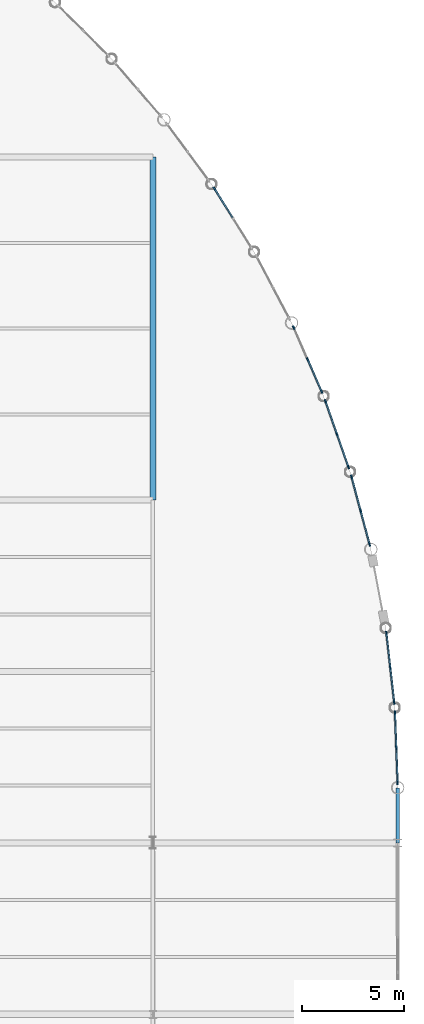
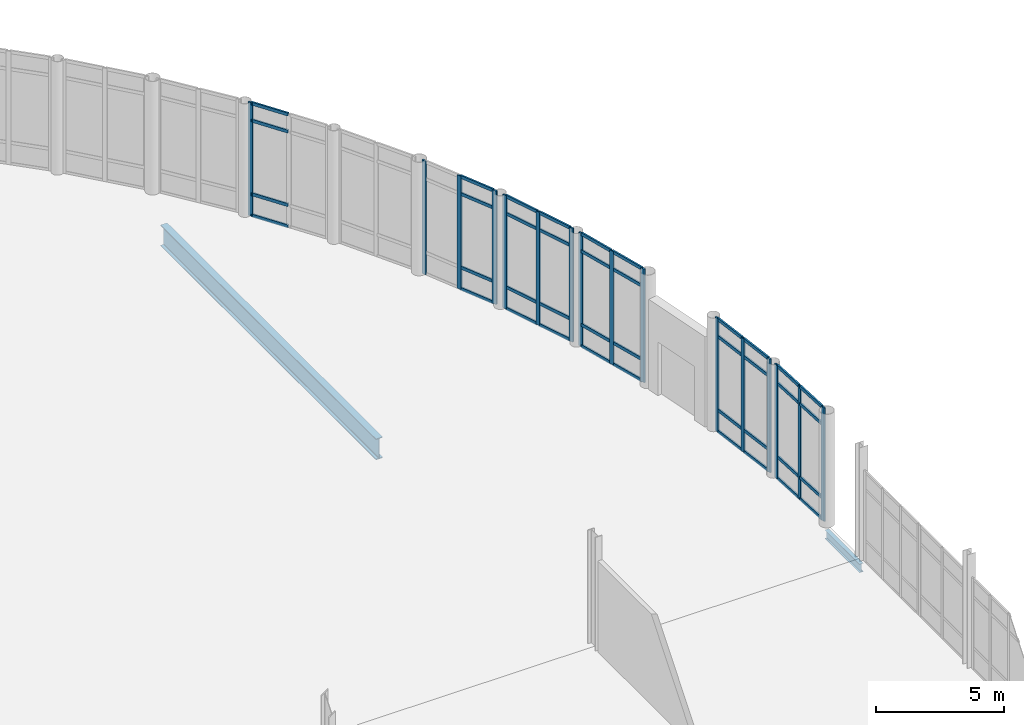
# One storey, part 72 of 111: 56 members, 2 beams, 6 elements without a shape of their own.
"""IFC4 building model written with IfcOpenShell, lengths in metres."""

from ifc_helpers import new_model, si_unit, direction, frame, origin, origin_2d, place, context, subcontext, project, spatial, rectangle, i_section, extrude, material, layer, layer_set, material_profile, profile_set, type_object, element, aggregate, save


model = new_model("IFC4")

# Units and contexts
model_context = context("Model", 3, precision=1e-05, world=origin(), true_north=direction((0.0, 1.0)))
body_context = subcontext(model_context, "Body", "Model", "MODEL_VIEW")
ifc_project = project(units=[si_unit("LENGTHUNIT", "METRE"), si_unit("AREAUNIT", "SQUARE_METRE"), si_unit("VOLUMEUNIT", "CUBIC_METRE"), si_unit("PLANEANGLEUNIT", "RADIAN"), si_unit("MASSUNIT", "GRAM", prefix="KILO"), si_unit("THERMODYNAMICTEMPERATUREUNIT", "KELVIN"), si_unit("POWERUNIT", "WATT")], contexts=[model_context])

# Site, building, storey
site_placement = place(None, origin())
site = spatial("IfcSite", under=ifc_project, at=site_placement, CompositionType="ELEMENT")
building_placement = place(site_placement, origin())
building = spatial("IfcBuilding", under=site, at=building_placement, Name="Tembeka Court Mobility Hub", CompositionType="ELEMENT")
storey_placement = place(building_placement, origin())
storey = spatial("IfcBuildingStorey", under=building, at=storey_placement, Name="L00", CompositionType="ELEMENT", Elevation=0.0)

# Beams
ifc_material_1 = material(Name="Steel S355", Category="steel")
ifc_material_profile_1 = material_profile(ifc_material_1, i_section(OverallWidth=0.177978515625, OverallDepth=0.406005859375, WebThickness=0.0078125, FlangeThickness=0.0126953125, FilletRadius=0.01025390625, at=origin_2d()), Name="UKB 406x178x60")
ifc_profile_set_1 = profile_set([ifc_material_profile_1], Name="Steel S355")
beam_type_1 = type_object("IfcBeamType", Name="BM-B02", PredefinedType="BEAM", material=ifc_profile_set_1)
beam_1_placement = place(storey_placement, frame((176.39990234375, 63.60009765625, -0.48291015625), z_axis=(0.0, 1.0, 0.0), x_axis=(-1.0, 0.0, 0.0)))
element("IfcBeam", 1, at=beam_1_placement, inside=storey, type_object=beam_type_1, Name="Beam B02 (BM-L00-Y0325)", PredefinedType="BEAM", context=body_context, shape_type="SweptSolid", body=[
    extrude(i_section(OverallWidth=0.177978515625, OverallDepth=0.406005859375, WebThickness=0.0078125, FlangeThickness=0.0126953125, FilletRadius=0.01025390625, at=origin_2d()), origin(), (0.0, 0.0, 1.0), 2.699951171875),
])
ifc_material_profile_2 = material_profile(ifc_material_1, i_section(OverallWidth=0.300048828125, OverallDepth=1.0, WebThickness=0.01904296875, FlangeThickness=0.035888671875, FilletRadius=0.030029296875, at=origin_2d()), Name="HEB 1000")
ifc_profile_set_2 = profile_set([ifc_material_profile_2], Name="Steel S355")
beam_type_2 = type_object("IfcBeamType", Name="BM-TG01", PredefinedType="USERDEFINED", material=ifc_profile_set_2)
beam_2_placement = place(storey_placement, frame((164.39990234375, 80.39990234375, -0.780029296875), z_axis=(0.0, 1.0, 0.0), x_axis=(-1.0, 0.0, 0.0)))
element("IfcBeam", 2, at=beam_2_placement, inside=storey, type_object=beam_type_2, Name="Beam TG01 (BM-L00-Y0318)", ObjectType="GIRDER", PredefinedType="USERDEFINED", context=body_context, shape_type="SweptSolid", body=[
    extrude(i_section(OverallWidth=0.300048828125, OverallDepth=1.0, WebThickness=0.01904296875, FlangeThickness=0.035888671875, FilletRadius=0.030029296875, at=origin_2d()), origin(), (0.0, 0.0, 1.0), 16.800048828125),
])

# Curtain wall, members
ifc_material_2 = material(Name="Anodised aluminium 6063-T6", Category="aluminium")
ifc_layer = layer(ifc_material_2, 0.199951171875)
ifc_layer_set = layer_set([ifc_layer], Name="Anodised aluminium 6063-T6")
curtain_wall_type = type_object("IfcCurtainWallType", Name="CW-SYS24", PredefinedType="USERDEFINED", material=ifc_layer_set)
curtain_wall_1_placement = place(storey_placement, origin())
curtain_wall_1 = element("IfcCurtainWall", 3, at=curtain_wall_1_placement, inside=storey, type_object=curtain_wall_type, Name="Unitised curtain wall CW24 (CW-L00-045)", ObjectType="UNITISED GLAZING", PredefinedType="USERDEFINED")
ifc_material_profile_3 = material_profile(ifc_material_2, rectangle(XDim=0.074951171875, YDim=0.199951171875, at=origin_2d()), Name="ALU-MUL 75x200")
ifc_profile_set_3 = profile_set([ifc_material_profile_3], Name="Anodised aluminium 6063-T6")
member_type_1 = type_object("IfcMemberType", Name="CW-MUL02", PredefinedType="MULLION", material=ifc_profile_set_3)
member_1_placement = place(storey_placement, frame((176.390380859375, 66.557373046875, 0.0), z_axis=(0.0, 0.0, 1.0), x_axis=(-0.999300177968, -0.037405271186, 0.0)))
member_1 = element("IfcMember", 4, at=member_1_placement, type_object=member_type_1, Name="CW24 mullion 1", PredefinedType="MULLION", context=body_context, shape_type="SweptSolid", body=[
    extrude(rectangle(XDim=0.074951171875, YDim=0.199951171875, at=origin_2d()), origin(), (0.0, 0.0, 1.0), 5.39990234375),
])
member_2_placement = place(storey_placement, frame((176.32666015625, 68.26171875, 0.0), z_axis=(0.0, 0.0, 1.0), x_axis=(-0.999300177968, -0.037405271186, 0.0)))
member_2 = element("IfcMember", 5, at=member_2_placement, type_object=member_type_1, Name="CW24 mullion 2", PredefinedType="MULLION", context=body_context, shape_type="SweptSolid", body=[
    extrude(rectangle(XDim=0.074951171875, YDim=0.199951171875, at=origin_2d()), origin(), (0.0, 0.0, 1.0), 5.39990234375),
])
member_3_placement = place(storey_placement, frame((176.2626953125, 69.966064453125, 0.0), z_axis=(0.0, 0.0, 1.0), x_axis=(-0.999300177968, -0.037405271186, 0.0)))
member_3 = element("IfcMember", 6, at=member_3_placement, type_object=member_type_1, Name="CW24 mullion 3", PredefinedType="MULLION", context=body_context, shape_type="SweptSolid", body=[
    extrude(rectangle(XDim=0.074951171875, YDim=0.199951171875, at=origin_2d()), origin(), (0.0, 0.0, 1.0), 5.39990234375),
])

curtain_wall_2_placement = place(storey_placement, origin())
curtain_wall_2 = element("IfcCurtainWall", 7, at=curtain_wall_2_placement, inside=storey, type_object=curtain_wall_type, Name="Unitised curtain wall CW24 (CW-L00-047)", ObjectType="UNITISED GLAZING", PredefinedType="USERDEFINED")
member_4_placement = place(storey_placement, frame((176.224365234375, 70.479248046875, 0.0), z_axis=(0.0, 0.0, 1.0), x_axis=(-0.993709707443, -0.111986683735, 0.0)))
member_4 = element("IfcMember", 8, at=member_4_placement, type_object=member_type_1, Name="CW24 mullion 1", PredefinedType="MULLION", context=body_context, shape_type="SweptSolid", body=[
    extrude(rectangle(XDim=0.074951171875, YDim=0.199951171875, at=origin_2d()), origin(), (0.0, 0.0, 1.0), 5.39990234375),
])
member_5_placement = place(storey_placement, frame((176.033447265625, 72.174072265625, 0.0), z_axis=(0.0, 0.0, 1.0), x_axis=(-0.993709707443, -0.111986683735, 0.0)))
member_5 = element("IfcMember", 9, at=member_5_placement, type_object=member_type_1, Name="CW24 mullion 2", PredefinedType="MULLION", context=body_context, shape_type="SweptSolid", body=[
    extrude(rectangle(XDim=0.074951171875, YDim=0.199951171875, at=origin_2d()), origin(), (0.0, 0.0, 1.0), 5.39990234375),
])
member_6_placement = place(storey_placement, frame((175.84228515625, 73.868896484375, 0.0), z_axis=(0.0, 0.0, 1.0), x_axis=(-0.993709707443, -0.111986683735, 0.0)))
member_6 = element("IfcMember", 10, at=member_6_placement, type_object=member_type_1, Name="CW24 mullion 3", PredefinedType="MULLION", context=body_context, shape_type="SweptSolid", body=[
    extrude(rectangle(XDim=0.074951171875, YDim=0.199951171875, at=origin_2d()), origin(), (0.0, 0.0, 1.0), 5.39990234375),
])

curtain_wall_3_placement = place(storey_placement, origin())
curtain_wall_3 = element("IfcCurtainWall", 11, at=curtain_wall_3_placement, inside=storey, type_object=curtain_wall_type, Name="Unitised curtain wall CW24 (CW-L00-049)", ObjectType="UNITISED GLAZING", PredefinedType="USERDEFINED")
member_7_placement = place(storey_placement, frame((175.01708984375, 78.23095703125, 0.0), z_axis=(0.0, 0.0, 1.0), x_axis=(-0.96592333891, -0.258828327951, 0.0)))
member_7 = element("IfcMember", 12, at=member_7_placement, type_object=member_type_1, Name="CW24 mullion 1", PredefinedType="MULLION", context=body_context, shape_type="SweptSolid", body=[
    extrude(rectangle(XDim=0.074951171875, YDim=0.199951171875, at=origin_2d()), origin(), (0.0, 0.0, 1.0), 5.39990234375),
])
member_8_placement = place(storey_placement, frame((174.57568359375, 79.87841796875, 0.0), z_axis=(0.0, 0.0, 1.0), x_axis=(-0.96592333891, -0.258828327951, 0.0)))
member_8 = element("IfcMember", 13, at=member_8_placement, type_object=member_type_1, Name="CW24 mullion 2", PredefinedType="MULLION", context=body_context, shape_type="SweptSolid", body=[
    extrude(rectangle(XDim=0.074951171875, YDim=0.199951171875, at=origin_2d()), origin(), (0.0, 0.0, 1.0), 5.39990234375),
])
member_9_placement = place(storey_placement, frame((174.13427734375, 81.52587890625, 0.0), z_axis=(0.0, 0.0, 1.0), x_axis=(-0.96592333891, -0.258828327951, 0.0)))
member_9 = element("IfcMember", 14, at=member_9_placement, type_object=member_type_1, Name="CW24 mullion 3", PredefinedType="MULLION", context=body_context, shape_type="SweptSolid", body=[
    extrude(rectangle(XDim=0.074951171875, YDim=0.199951171875, at=origin_2d()), origin(), (0.0, 0.0, 1.0), 5.39990234375),
])

curtain_wall_4_placement = place(storey_placement, origin())
curtain_wall_4 = element("IfcCurtainWall", 15, at=curtain_wall_4_placement, inside=storey, type_object=curtain_wall_type, Name="Unitised curtain wall CW24 (CW-L00-051)", ObjectType="UNITISED GLAZING", PredefinedType="USERDEFINED")
member_10_placement = place(storey_placement, frame((173.982421875, 82.017578125, 0.0), z_axis=(0.0, 0.0, 1.0), x_axis=(-0.943888763508, -0.330263534352, 0.0)))
member_10 = element("IfcMember", 16, at=member_10_placement, type_object=member_type_1, Name="CW24 mullion 1", PredefinedType="MULLION", context=body_context, shape_type="SweptSolid", body=[
    extrude(rectangle(XDim=0.074951171875, YDim=0.199951171875, at=origin_2d()), origin(), (0.0, 0.0, 1.0), 5.39990234375),
])
member_11_placement = place(storey_placement, frame((173.419189453125, 83.62744140625, 0.0), z_axis=(0.0, 0.0, 1.0), x_axis=(-0.943888763508, -0.330263534352, 0.0)))
member_11 = element("IfcMember", 17, at=member_11_placement, type_object=member_type_1, Name="CW24 mullion 2", PredefinedType="MULLION", context=body_context, shape_type="SweptSolid", body=[
    extrude(rectangle(XDim=0.074951171875, YDim=0.199951171875, at=origin_2d()), origin(), (0.0, 0.0, 1.0), 5.39990234375),
])
member_12_placement = place(storey_placement, frame((172.85595703125, 85.2373046875, 0.0), z_axis=(0.0, 0.0, 1.0), x_axis=(-0.943888763508, -0.330263534352, 0.0)))
member_12 = element("IfcMember", 18, at=member_12_placement, type_object=member_type_1, Name="CW24 mullion 3", PredefinedType="MULLION", context=body_context, shape_type="SweptSolid", body=[
    extrude(rectangle(XDim=0.074951171875, YDim=0.199951171875, at=origin_2d()), origin(), (0.0, 0.0, 1.0), 5.39990234375),
])

curtain_wall_5_placement = place(storey_placement, origin())
curtain_wall_5 = element("IfcCurtainWall", 19, at=curtain_wall_5_placement, inside=storey, type_object=curtain_wall_type, Name="Unitised curtain wall CW24 (CW-L00-053)", ObjectType="UNITISED GLAZING", PredefinedType="USERDEFINED")
member_13_placement = place(storey_placement, frame((172.66796875, 85.71630859375, 0.0), z_axis=(0.0, 0.0, 1.0), x_axis=(-0.916572258286, -0.399869097757, 0.0)))
member_13 = element("IfcMember", 20, at=member_13_placement, type_object=member_type_1, Name="CW24 mullion 1", PredefinedType="MULLION", context=body_context, shape_type="SweptSolid", body=[
    extrude(rectangle(XDim=0.074951171875, YDim=0.199951171875, at=origin_2d()), origin(), (0.0, 0.0, 1.0), 5.39990234375),
])
member_14_placement = place(storey_placement, frame((171.98583984375, 87.279541015625, 0.0), z_axis=(0.0, 0.0, 1.0), x_axis=(-0.916572258286, -0.399869097757, 0.0)))
member_14 = element("IfcMember", 21, at=member_14_placement, type_object=member_type_1, Name="CW24 mullion 2", PredefinedType="MULLION", context=body_context, shape_type="SweptSolid", body=[
    extrude(rectangle(XDim=0.074951171875, YDim=0.199951171875, at=origin_2d()), origin(), (0.0, 0.0, 1.0), 5.39990234375),
])
member_15_placement = place(storey_placement, frame((171.303955078125, 88.843017578125, 0.0), z_axis=(0.0, 0.0, 1.0), x_axis=(-0.916572258286, -0.399869097757, 0.0)))
member_15 = element("IfcMember", 22, at=member_15_placement, type_object=member_type_1, Name="CW24 mullion 3", PredefinedType="MULLION", context=body_context, shape_type="SweptSolid", body=[
    extrude(rectangle(XDim=0.074951171875, YDim=0.199951171875, at=origin_2d()), origin(), (0.0, 0.0, 1.0), 5.39990234375),
])

# Curtain wall, member
curtain_wall_6_placement = place(storey_placement, origin())
curtain_wall_6 = element("IfcCurtainWall", 23, at=curtain_wall_6_placement, inside=storey, type_object=curtain_wall_type, Name="Unitised curtain wall CW24 (CW-L00-057)", ObjectType="UNITISED GLAZING", PredefinedType="USERDEFINED")
member_16_placement = place(storey_placement, frame((167.41455078125, 95.65625, 0.0), z_axis=(0.0, 0.0, 1.0), x_axis=(-0.846708179607, -0.532057570744, 0.0)))
member_16 = element("IfcMember", 24, at=member_16_placement, type_object=member_type_1, Name="CW24 mullion 3", PredefinedType="MULLION", context=body_context, shape_type="SweptSolid", body=[
    extrude(rectangle(XDim=0.074951171875, YDim=0.199951171875, at=origin_2d()), origin(), (0.0, 0.0, 1.0), 5.39990234375),
])

# Member
ifc_material_profile_4 = material_profile(ifc_material_2, rectangle(XDim=0.074951171875, YDim=0.14990234375, at=origin_2d()), Name="ALU-TRN 75x150")
ifc_profile_set_4 = profile_set([ifc_material_profile_4], Name="Anodised aluminium 6063-T6")
member_type_2 = type_object("IfcMemberType", Name="CW-TRN02", PredefinedType="USERDEFINED", material=ifc_profile_set_4)
member_17_placement = place(storey_placement, frame((176.388916015625, 66.5947265625, 0.03759765625), z_axis=(-0.037432542583, 0.999299156787, 0.0), x_axis=(-0.999299156787, -0.037432542583, 0.0)))
member_17 = element("IfcMember", 25, at=member_17_placement, type_object=member_type_2, Name="CW24 transom 1.1", ObjectType="TRANSOM", PredefinedType="USERDEFINED", context=body_context, shape_type="SweptSolid", body=[
    extrude(rectangle(XDim=0.074951171875, YDim=0.14990234375, at=origin_2d()), origin(), (0.0, 0.0, 1.0), 1.630615234375),
])

member_18_placement = place(storey_placement, frame((176.388916015625, 66.5947265625, 1.050048828125), z_axis=(-0.037432542583, 0.999299156787, 0.0), x_axis=(-0.999299156787, -0.037432542583, 0.0)))
member_18 = element("IfcMember", 26, at=member_18_placement, type_object=member_type_2, Name="CW24 transom 1.2", ObjectType="TRANSOM", PredefinedType="USERDEFINED", context=body_context, shape_type="SweptSolid", body=[
    extrude(rectangle(XDim=0.074951171875, YDim=0.14990234375, at=origin_2d()), origin(), (0.0, 0.0, 1.0), 1.630615234375),
])

member_19_placement = place(storey_placement, frame((176.388916015625, 66.5947265625, 4.550048828125), z_axis=(-0.037432542583, 0.999299156787, 0.0), x_axis=(-0.999299156787, -0.037432542583, 0.0)))
member_19 = element("IfcMember", 27, at=member_19_placement, type_object=member_type_2, Name="CW24 transom 1.3", ObjectType="TRANSOM", PredefinedType="USERDEFINED", context=body_context, shape_type="SweptSolid", body=[
    extrude(rectangle(XDim=0.074951171875, YDim=0.14990234375, at=origin_2d()), origin(), (0.0, 0.0, 1.0), 1.630615234375),
])

member_20_placement = place(storey_placement, frame((176.388916015625, 66.5947265625, 5.362548828125), z_axis=(-0.037432542583, 0.999299156787, 0.0), x_axis=(-0.999299156787, -0.037432542583, 0.0)))
member_20 = element("IfcMember", 28, at=member_20_placement, type_object=member_type_2, Name="CW24 transom 1.4", ObjectType="TRANSOM", PredefinedType="USERDEFINED", context=body_context, shape_type="SweptSolid", body=[
    extrude(rectangle(XDim=0.074951171875, YDim=0.14990234375, at=origin_2d()), origin(), (0.0, 0.0, 1.0), 1.630615234375),
])

member_21_placement = place(storey_placement, frame((176.3251953125, 68.299072265625, 0.03759765625), z_axis=(-0.037432542583, 0.999299156787, 0.0), x_axis=(-0.999299156787, -0.037432542583, 0.0)))
member_21 = element("IfcMember", 29, at=member_21_placement, type_object=member_type_2, Name="CW24 transom 2.1", ObjectType="TRANSOM", PredefinedType="USERDEFINED", context=body_context, shape_type="SweptSolid", body=[
    extrude(rectangle(XDim=0.074951171875, YDim=0.14990234375, at=origin_2d()), origin(), (0.0, 0.0, 1.0), 1.630615234375),
])

member_22_placement = place(storey_placement, frame((176.3251953125, 68.299072265625, 1.050048828125), z_axis=(-0.037432542583, 0.999299156787, 0.0), x_axis=(-0.999299156787, -0.037432542583, 0.0)))
member_22 = element("IfcMember", 30, at=member_22_placement, type_object=member_type_2, Name="CW24 transom 2.2", ObjectType="TRANSOM", PredefinedType="USERDEFINED", context=body_context, shape_type="SweptSolid", body=[
    extrude(rectangle(XDim=0.074951171875, YDim=0.14990234375, at=origin_2d()), origin(), (0.0, 0.0, 1.0), 1.630615234375),
])

member_23_placement = place(storey_placement, frame((176.3251953125, 68.299072265625, 4.550048828125), z_axis=(-0.037432542583, 0.999299156787, 0.0), x_axis=(-0.999299156787, -0.037432542583, 0.0)))
member_23 = element("IfcMember", 31, at=member_23_placement, type_object=member_type_2, Name="CW24 transom 2.3", ObjectType="TRANSOM", PredefinedType="USERDEFINED", context=body_context, shape_type="SweptSolid", body=[
    extrude(rectangle(XDim=0.074951171875, YDim=0.14990234375, at=origin_2d()), origin(), (0.0, 0.0, 1.0), 1.630615234375),
])

member_24_placement = place(storey_placement, frame((176.3251953125, 68.299072265625, 5.362548828125), z_axis=(-0.037432542583, 0.999299156787, 0.0), x_axis=(-0.999299156787, -0.037432542583, 0.0)))
member_24 = element("IfcMember", 32, at=member_24_placement, type_object=member_type_2, Name="CW24 transom 2.4", ObjectType="TRANSOM", PredefinedType="USERDEFINED", context=body_context, shape_type="SweptSolid", body=[
    extrude(rectangle(XDim=0.074951171875, YDim=0.14990234375, at=origin_2d()), origin(), (0.0, 0.0, 1.0), 1.630615234375),
])

aggregate(curtain_wall_1, [member_1, member_2, member_3, member_17, member_18, member_19, member_20, member_21, member_22, member_23, member_24])

member_25_placement = place(storey_placement, frame((176.22021484375, 70.516357421875, 0.03759765625), z_axis=(-0.111992522074, 0.99370904947, 0.0), x_axis=(-0.99370904947, -0.111992522074, 0.0)))
member_25 = element("IfcMember", 33, at=member_25_placement, type_object=member_type_2, Name="CW24 transom 1.1", ObjectType="TRANSOM", PredefinedType="USERDEFINED", context=body_context, shape_type="SweptSolid", body=[
    extrude(rectangle(XDim=0.074951171875, YDim=0.14990234375, at=origin_2d()), origin(), (0.0, 0.0, 1.0), 1.630615234375),
])

member_26_placement = place(storey_placement, frame((176.22021484375, 70.516357421875, 1.050048828125), z_axis=(-0.111992522074, 0.99370904947, 0.0), x_axis=(-0.99370904947, -0.111992522074, 0.0)))
member_26 = element("IfcMember", 34, at=member_26_placement, type_object=member_type_2, Name="CW24 transom 1.2", ObjectType="TRANSOM", PredefinedType="USERDEFINED", context=body_context, shape_type="SweptSolid", body=[
    extrude(rectangle(XDim=0.074951171875, YDim=0.14990234375, at=origin_2d()), origin(), (0.0, 0.0, 1.0), 1.630615234375),
])

member_27_placement = place(storey_placement, frame((176.22021484375, 70.516357421875, 4.550048828125), z_axis=(-0.111992522074, 0.99370904947, 0.0), x_axis=(-0.99370904947, -0.111992522074, 0.0)))
member_27 = element("IfcMember", 35, at=member_27_placement, type_object=member_type_2, Name="CW24 transom 1.3", ObjectType="TRANSOM", PredefinedType="USERDEFINED", context=body_context, shape_type="SweptSolid", body=[
    extrude(rectangle(XDim=0.074951171875, YDim=0.14990234375, at=origin_2d()), origin(), (0.0, 0.0, 1.0), 1.630615234375),
])

member_28_placement = place(storey_placement, frame((176.22021484375, 70.516357421875, 5.362548828125), z_axis=(-0.111992522074, 0.99370904947, 0.0), x_axis=(-0.99370904947, -0.111992522074, 0.0)))
member_28 = element("IfcMember", 36, at=member_28_placement, type_object=member_type_2, Name="CW24 transom 1.4", ObjectType="TRANSOM", PredefinedType="USERDEFINED", context=body_context, shape_type="SweptSolid", body=[
    extrude(rectangle(XDim=0.074951171875, YDim=0.14990234375, at=origin_2d()), origin(), (0.0, 0.0, 1.0), 1.630615234375),
])

member_29_placement = place(storey_placement, frame((176.029296875, 72.211181640625, 0.03759765625), z_axis=(-0.111992522074, 0.99370904947, 0.0), x_axis=(-0.99370904947, -0.111992522074, 0.0)))
member_29 = element("IfcMember", 37, at=member_29_placement, type_object=member_type_2, Name="CW24 transom 2.1", ObjectType="TRANSOM", PredefinedType="USERDEFINED", context=body_context, shape_type="SweptSolid", body=[
    extrude(rectangle(XDim=0.074951171875, YDim=0.14990234375, at=origin_2d()), origin(), (0.0, 0.0, 1.0), 1.630615234375),
])

member_30_placement = place(storey_placement, frame((176.029296875, 72.211181640625, 1.050048828125), z_axis=(-0.111992522074, 0.99370904947, 0.0), x_axis=(-0.99370904947, -0.111992522074, 0.0)))
member_30 = element("IfcMember", 38, at=member_30_placement, type_object=member_type_2, Name="CW24 transom 2.2", ObjectType="TRANSOM", PredefinedType="USERDEFINED", context=body_context, shape_type="SweptSolid", body=[
    extrude(rectangle(XDim=0.074951171875, YDim=0.14990234375, at=origin_2d()), origin(), (0.0, 0.0, 1.0), 1.630615234375),
])

member_31_placement = place(storey_placement, frame((176.029296875, 72.211181640625, 4.550048828125), z_axis=(-0.111992522074, 0.99370904947, 0.0), x_axis=(-0.99370904947, -0.111992522074, 0.0)))
member_31 = element("IfcMember", 39, at=member_31_placement, type_object=member_type_2, Name="CW24 transom 2.3", ObjectType="TRANSOM", PredefinedType="USERDEFINED", context=body_context, shape_type="SweptSolid", body=[
    extrude(rectangle(XDim=0.074951171875, YDim=0.14990234375, at=origin_2d()), origin(), (0.0, 0.0, 1.0), 1.630615234375),
])

member_32_placement = place(storey_placement, frame((176.029296875, 72.211181640625, 5.362548828125), z_axis=(-0.111992522074, 0.99370904947, 0.0), x_axis=(-0.99370904947, -0.111992522074, 0.0)))
member_32 = element("IfcMember", 40, at=member_32_placement, type_object=member_type_2, Name="CW24 transom 2.4", ObjectType="TRANSOM", PredefinedType="USERDEFINED", context=body_context, shape_type="SweptSolid", body=[
    extrude(rectangle(XDim=0.074951171875, YDim=0.14990234375, at=origin_2d()), origin(), (0.0, 0.0, 1.0), 1.630615234375),
])

aggregate(curtain_wall_2, [member_4, member_5, member_6, member_25, member_26, member_27, member_28, member_29, member_30, member_31, member_32])

member_33_placement = place(storey_placement, frame((175.00732421875, 78.267333984375, 0.03759765625), z_axis=(-0.258743569782, 0.96594604668, 0.0), x_axis=(-0.96594604668, -0.258743569782, 0.0)))
member_33 = element("IfcMember", 41, at=member_33_placement, type_object=member_type_2, Name="CW24 transom 1.1", ObjectType="TRANSOM", PredefinedType="USERDEFINED", context=body_context, shape_type="SweptSolid", body=[
    extrude(rectangle(XDim=0.074951171875, YDim=0.14990234375, at=origin_2d()), origin(), (0.0, 0.0, 1.0), 1.63037109375),
])

member_34_placement = place(storey_placement, frame((175.00732421875, 78.267333984375, 1.050048828125), z_axis=(-0.258743569782, 0.96594604668, 0.0), x_axis=(-0.96594604668, -0.258743569782, 0.0)))
member_34 = element("IfcMember", 42, at=member_34_placement, type_object=member_type_2, Name="CW24 transom 1.2", ObjectType="TRANSOM", PredefinedType="USERDEFINED", context=body_context, shape_type="SweptSolid", body=[
    extrude(rectangle(XDim=0.074951171875, YDim=0.14990234375, at=origin_2d()), origin(), (0.0, 0.0, 1.0), 1.63037109375),
])

member_35_placement = place(storey_placement, frame((175.00732421875, 78.267333984375, 4.550048828125), z_axis=(-0.258743569782, 0.96594604668, 0.0), x_axis=(-0.96594604668, -0.258743569782, 0.0)))
member_35 = element("IfcMember", 43, at=member_35_placement, type_object=member_type_2, Name="CW24 transom 1.3", ObjectType="TRANSOM", PredefinedType="USERDEFINED", context=body_context, shape_type="SweptSolid", body=[
    extrude(rectangle(XDim=0.074951171875, YDim=0.14990234375, at=origin_2d()), origin(), (0.0, 0.0, 1.0), 1.63037109375),
])

member_36_placement = place(storey_placement, frame((175.00732421875, 78.267333984375, 5.362548828125), z_axis=(-0.258743569782, 0.96594604668, 0.0), x_axis=(-0.96594604668, -0.258743569782, 0.0)))
member_36 = element("IfcMember", 44, at=member_36_placement, type_object=member_type_2, Name="CW24 transom 1.4", ObjectType="TRANSOM", PredefinedType="USERDEFINED", context=body_context, shape_type="SweptSolid", body=[
    extrude(rectangle(XDim=0.074951171875, YDim=0.14990234375, at=origin_2d()), origin(), (0.0, 0.0, 1.0), 1.63037109375),
])

member_37_placement = place(storey_placement, frame((174.56591796875, 79.91455078125, 0.03759765625), z_axis=(-0.258845837055, 0.965918647009, 0.0), x_axis=(-0.965918647009, -0.258845837055, 0.0)))
member_37 = element("IfcMember", 45, at=member_37_placement, type_object=member_type_2, Name="CW24 transom 2.1", ObjectType="TRANSOM", PredefinedType="USERDEFINED", context=body_context, shape_type="SweptSolid", body=[
    extrude(rectangle(XDim=0.074951171875, YDim=0.14990234375, at=origin_2d()), origin(), (0.0, 0.0, 1.0), 1.630859375),
])

member_38_placement = place(storey_placement, frame((174.56591796875, 79.91455078125, 1.050048828125), z_axis=(-0.258845837055, 0.965918647009, 0.0), x_axis=(-0.965918647009, -0.258845837055, 0.0)))
member_38 = element("IfcMember", 46, at=member_38_placement, type_object=member_type_2, Name="CW24 transom 2.2", ObjectType="TRANSOM", PredefinedType="USERDEFINED", context=body_context, shape_type="SweptSolid", body=[
    extrude(rectangle(XDim=0.074951171875, YDim=0.14990234375, at=origin_2d()), origin(), (0.0, 0.0, 1.0), 1.630859375),
])

member_39_placement = place(storey_placement, frame((174.56591796875, 79.91455078125, 4.550048828125), z_axis=(-0.258845837055, 0.965918647009, 0.0), x_axis=(-0.965918647009, -0.258845837055, 0.0)))
member_39 = element("IfcMember", 47, at=member_39_placement, type_object=member_type_2, Name="CW24 transom 2.3", ObjectType="TRANSOM", PredefinedType="USERDEFINED", context=body_context, shape_type="SweptSolid", body=[
    extrude(rectangle(XDim=0.074951171875, YDim=0.14990234375, at=origin_2d()), origin(), (0.0, 0.0, 1.0), 1.630859375),
])

member_40_placement = place(storey_placement, frame((174.56591796875, 79.91455078125, 5.362548828125), z_axis=(-0.258845837055, 0.965918647009, 0.0), x_axis=(-0.965918647009, -0.258845837055, 0.0)))
member_40 = element("IfcMember", 48, at=member_40_placement, type_object=member_type_2, Name="CW24 transom 2.4", ObjectType="TRANSOM", PredefinedType="USERDEFINED", context=body_context, shape_type="SweptSolid", body=[
    extrude(rectangle(XDim=0.074951171875, YDim=0.14990234375, at=origin_2d()), origin(), (0.0, 0.0, 1.0), 1.630859375),
])

aggregate(curtain_wall_3, [member_7, member_8, member_9, member_33, member_34, member_35, member_36, member_37, member_38, member_39, member_40])

member_41_placement = place(storey_placement, frame((173.97021484375, 82.052978515625, 0.03759765625), z_axis=(-0.330297069479, 0.94387702901, 0.0), x_axis=(-0.94387702901, -0.330297069479, 0.0)))
member_41 = element("IfcMember", 49, at=member_41_placement, type_object=member_type_2, Name="CW24 transom 1.1", ObjectType="TRANSOM", PredefinedType="USERDEFINED", context=body_context, shape_type="SweptSolid", body=[
    extrude(rectangle(XDim=0.074951171875, YDim=0.14990234375, at=origin_2d()), origin(), (0.0, 0.0, 1.0), 1.630615234375),
])

member_42_placement = place(storey_placement, frame((173.97021484375, 82.052978515625, 1.050048828125), z_axis=(-0.330297069479, 0.94387702901, 0.0), x_axis=(-0.94387702901, -0.330297069479, 0.0)))
member_42 = element("IfcMember", 50, at=member_42_placement, type_object=member_type_2, Name="CW24 transom 1.2", ObjectType="TRANSOM", PredefinedType="USERDEFINED", context=body_context, shape_type="SweptSolid", body=[
    extrude(rectangle(XDim=0.074951171875, YDim=0.14990234375, at=origin_2d()), origin(), (0.0, 0.0, 1.0), 1.630615234375),
])

member_43_placement = place(storey_placement, frame((173.97021484375, 82.052978515625, 4.550048828125), z_axis=(-0.330297069479, 0.94387702901, 0.0), x_axis=(-0.94387702901, -0.330297069479, 0.0)))
member_43 = element("IfcMember", 51, at=member_43_placement, type_object=member_type_2, Name="CW24 transom 1.3", ObjectType="TRANSOM", PredefinedType="USERDEFINED", context=body_context, shape_type="SweptSolid", body=[
    extrude(rectangle(XDim=0.074951171875, YDim=0.14990234375, at=origin_2d()), origin(), (0.0, 0.0, 1.0), 1.630615234375),
])

member_44_placement = place(storey_placement, frame((173.97021484375, 82.052978515625, 5.362548828125), z_axis=(-0.330297069479, 0.94387702901, 0.0), x_axis=(-0.94387702901, -0.330297069479, 0.0)))
member_44 = element("IfcMember", 52, at=member_44_placement, type_object=member_type_2, Name="CW24 transom 1.4", ObjectType="TRANSOM", PredefinedType="USERDEFINED", context=body_context, shape_type="SweptSolid", body=[
    extrude(rectangle(XDim=0.074951171875, YDim=0.14990234375, at=origin_2d()), origin(), (0.0, 0.0, 1.0), 1.630615234375),
])

member_45_placement = place(storey_placement, frame((173.406982421875, 83.662841796875, 0.03759765625), z_axis=(-0.330297069479, 0.94387702901, 0.0), x_axis=(-0.94387702901, -0.330297069479, 0.0)))
member_45 = element("IfcMember", 53, at=member_45_placement, type_object=member_type_2, Name="CW24 transom 2.1", ObjectType="TRANSOM", PredefinedType="USERDEFINED", context=body_context, shape_type="SweptSolid", body=[
    extrude(rectangle(XDim=0.074951171875, YDim=0.14990234375, at=origin_2d()), origin(), (0.0, 0.0, 1.0), 1.630615234375),
])

member_46_placement = place(storey_placement, frame((173.406982421875, 83.662841796875, 1.050048828125), z_axis=(-0.330297069479, 0.94387702901, 0.0), x_axis=(-0.94387702901, -0.330297069479, 0.0)))
member_46 = element("IfcMember", 54, at=member_46_placement, type_object=member_type_2, Name="CW24 transom 2.2", ObjectType="TRANSOM", PredefinedType="USERDEFINED", context=body_context, shape_type="SweptSolid", body=[
    extrude(rectangle(XDim=0.074951171875, YDim=0.14990234375, at=origin_2d()), origin(), (0.0, 0.0, 1.0), 1.630615234375),
])

member_47_placement = place(storey_placement, frame((173.406982421875, 83.662841796875, 4.550048828125), z_axis=(-0.330297069479, 0.94387702901, 0.0), x_axis=(-0.94387702901, -0.330297069479, 0.0)))
member_47 = element("IfcMember", 55, at=member_47_placement, type_object=member_type_2, Name="CW24 transom 2.3", ObjectType="TRANSOM", PredefinedType="USERDEFINED", context=body_context, shape_type="SweptSolid", body=[
    extrude(rectangle(XDim=0.074951171875, YDim=0.14990234375, at=origin_2d()), origin(), (0.0, 0.0, 1.0), 1.630615234375),
])

member_48_placement = place(storey_placement, frame((173.406982421875, 83.662841796875, 5.362548828125), z_axis=(-0.330297069479, 0.94387702901, 0.0), x_axis=(-0.94387702901, -0.330297069479, 0.0)))
member_48 = element("IfcMember", 56, at=member_48_placement, type_object=member_type_2, Name="CW24 transom 2.4", ObjectType="TRANSOM", PredefinedType="USERDEFINED", context=body_context, shape_type="SweptSolid", body=[
    extrude(rectangle(XDim=0.074951171875, YDim=0.14990234375, at=origin_2d()), origin(), (0.0, 0.0, 1.0), 1.630615234375),
])

aggregate(curtain_wall_4, [member_10, member_11, member_12, member_41, member_42, member_43, member_44, member_45, member_46, member_47, member_48])

member_49_placement = place(storey_placement, frame((172.65283203125, 85.750732421875, 0.03759765625), z_axis=(-0.399766075553, 0.916617196455, 0.0), x_axis=(-0.916617196455, -0.399766075553, 0.0)))
member_49 = element("IfcMember", 57, at=member_49_placement, type_object=member_type_2, Name="CW24 transom 1.1", ObjectType="TRANSOM", PredefinedType="USERDEFINED", context=body_context, shape_type="SweptSolid", body=[
    extrude(rectangle(XDim=0.074951171875, YDim=0.14990234375, at=origin_2d()), origin(), (0.0, 0.0, 1.0), 1.630615234375),
])

member_50_placement = place(storey_placement, frame((172.65283203125, 85.750732421875, 1.050048828125), z_axis=(-0.399766075553, 0.916617196455, 0.0), x_axis=(-0.916617196455, -0.399766075553, 0.0)))
member_50 = element("IfcMember", 58, at=member_50_placement, type_object=member_type_2, Name="CW24 transom 1.2", ObjectType="TRANSOM", PredefinedType="USERDEFINED", context=body_context, shape_type="SweptSolid", body=[
    extrude(rectangle(XDim=0.074951171875, YDim=0.14990234375, at=origin_2d()), origin(), (0.0, 0.0, 1.0), 1.630615234375),
])

member_51_placement = place(storey_placement, frame((172.65283203125, 85.750732421875, 4.550048828125), z_axis=(-0.399766075553, 0.916617196455, 0.0), x_axis=(-0.916617196455, -0.399766075553, 0.0)))
member_51 = element("IfcMember", 59, at=member_51_placement, type_object=member_type_2, Name="CW24 transom 1.3", ObjectType="TRANSOM", PredefinedType="USERDEFINED", context=body_context, shape_type="SweptSolid", body=[
    extrude(rectangle(XDim=0.074951171875, YDim=0.14990234375, at=origin_2d()), origin(), (0.0, 0.0, 1.0), 1.630615234375),
])

member_52_placement = place(storey_placement, frame((172.65283203125, 85.750732421875, 5.362548828125), z_axis=(-0.399766075553, 0.916617196455, 0.0), x_axis=(-0.916617196455, -0.399766075553, 0.0)))
member_52 = element("IfcMember", 60, at=member_52_placement, type_object=member_type_2, Name="CW24 transom 1.4", ObjectType="TRANSOM", PredefinedType="USERDEFINED", context=body_context, shape_type="SweptSolid", body=[
    extrude(rectangle(XDim=0.074951171875, YDim=0.14990234375, at=origin_2d()), origin(), (0.0, 0.0, 1.0), 1.630615234375),
])

aggregate(curtain_wall_5, [member_13, member_14, member_15, member_49, member_50, member_51, member_52])

member_53_placement = place(storey_placement, frame((168.302001953125, 94.243896484375, 0.03759765625), z_axis=(-0.532110218456, 0.846675094363, 0.0), x_axis=(-0.846675094363, -0.532110218456, 0.0)))
member_53 = element("IfcMember", 61, at=member_53_placement, type_object=member_type_2, Name="CW24 transom 2.1", ObjectType="TRANSOM", PredefinedType="USERDEFINED", context=body_context, shape_type="SweptSolid", body=[
    extrude(rectangle(XDim=0.074951171875, YDim=0.14990234375, at=origin_2d()), origin(), (0.0, 0.0, 1.0), 1.630615234375),
])

member_54_placement = place(storey_placement, frame((168.302001953125, 94.243896484375, 1.050048828125), z_axis=(-0.532110218456, 0.846675094363, 0.0), x_axis=(-0.846675094363, -0.532110218456, 0.0)))
member_54 = element("IfcMember", 62, at=member_54_placement, type_object=member_type_2, Name="CW24 transom 2.2", ObjectType="TRANSOM", PredefinedType="USERDEFINED", context=body_context, shape_type="SweptSolid", body=[
    extrude(rectangle(XDim=0.074951171875, YDim=0.14990234375, at=origin_2d()), origin(), (0.0, 0.0, 1.0), 1.630615234375),
])

member_55_placement = place(storey_placement, frame((168.302001953125, 94.243896484375, 4.550048828125), z_axis=(-0.532110218456, 0.846675094363, 0.0), x_axis=(-0.846675094363, -0.532110218456, 0.0)))
member_55 = element("IfcMember", 63, at=member_55_placement, type_object=member_type_2, Name="CW24 transom 2.3", ObjectType="TRANSOM", PredefinedType="USERDEFINED", context=body_context, shape_type="SweptSolid", body=[
    extrude(rectangle(XDim=0.074951171875, YDim=0.14990234375, at=origin_2d()), origin(), (0.0, 0.0, 1.0), 1.630615234375),
])

member_56_placement = place(storey_placement, frame((168.302001953125, 94.243896484375, 5.362548828125), z_axis=(-0.532110218456, 0.846675094363, 0.0), x_axis=(-0.846675094363, -0.532110218456, 0.0)))
member_56 = element("IfcMember", 64, at=member_56_placement, type_object=member_type_2, Name="CW24 transom 2.4", ObjectType="TRANSOM", PredefinedType="USERDEFINED", context=body_context, shape_type="SweptSolid", body=[
    extrude(rectangle(XDim=0.074951171875, YDim=0.14990234375, at=origin_2d()), origin(), (0.0, 0.0, 1.0), 1.630615234375),
])

aggregate(curtain_wall_6, [member_16, member_53, member_54, member_55, member_56])

save(model, "model.ifc")
